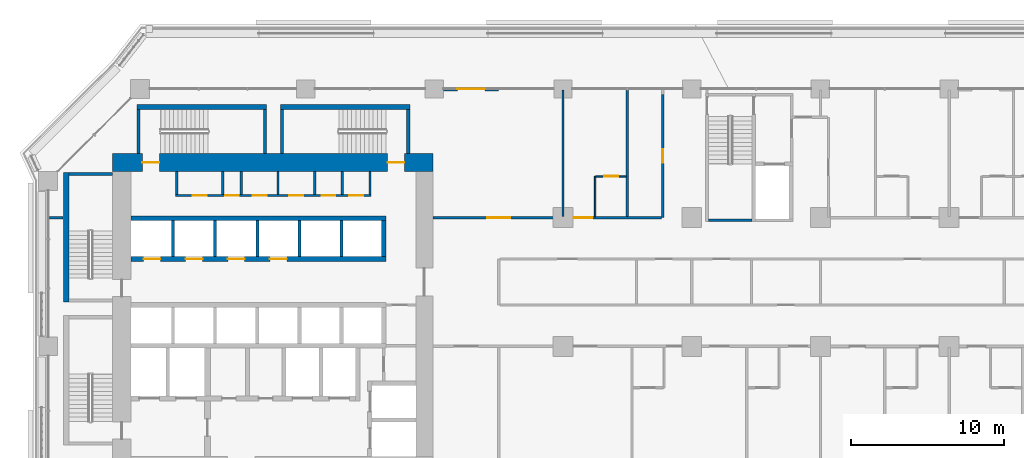
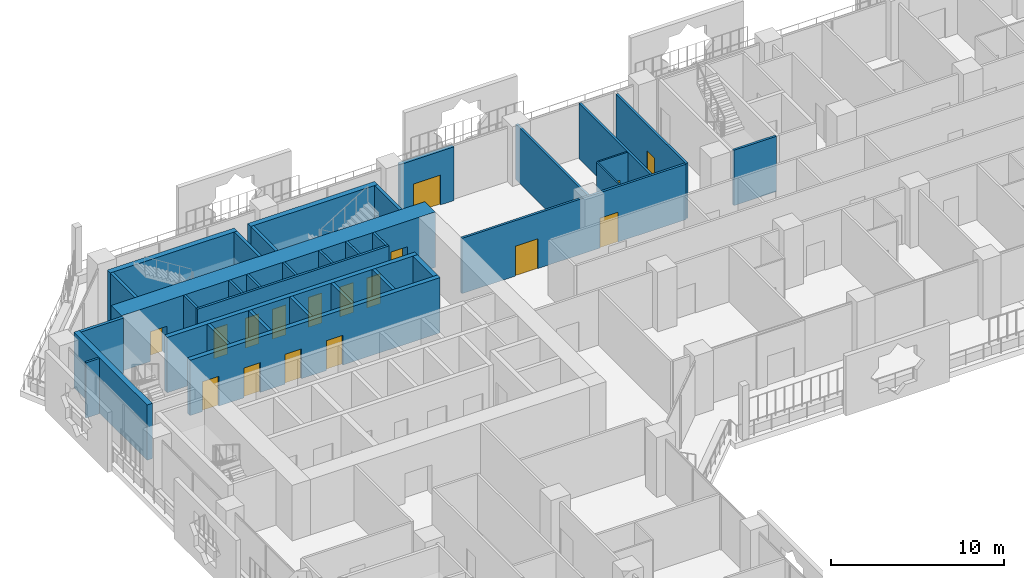
# One storey, part 17 of 28: 34 walls, 17 doors, 17 openings.
"""IFC4 building model written with IfcOpenShell, lengths in metres."""

from ifc_helpers import new_model, si_unit, direction, frame, frame_2d, origin, place, context, subcontext, project, spatial, rectangle, extrude, material, layer, layer_set, type_object, element, fill, save


model = new_model("IFC4")

# Units and contexts
model_context = context("Model", 3, precision=1e-05, world=origin(), true_north=direction((0.0, 1.0)))
body_context = subcontext(model_context, "Body", "Model", "MODEL_VIEW")
ifc_project = project(units=[si_unit("LENGTHUNIT", "METRE"), si_unit("AREAUNIT", "SQUARE_METRE"), si_unit("VOLUMEUNIT", "CUBIC_METRE"), si_unit("PLANEANGLEUNIT", "RADIAN"), si_unit("MASSUNIT", "GRAM", prefix="KILO")], contexts=[model_context])

# Site, building, storey
site_placement = place(None, origin())
site = spatial("IfcSite", under=ifc_project, at=site_placement, CompositionType="ELEMENT")
building_placement = place(site_placement, origin())
building = spatial("IfcBuilding", under=site, at=building_placement, Name="Kawkab Arch Medical Tower", CompositionType="ELEMENT")
storey_placement = place(building_placement, frame((0.0, 0.0, 68.60009765625)))
storey = spatial("IfcBuildingStorey", under=building, at=storey_placement, Name="L15", CompositionType="ELEMENT", Elevation=68.60009765625)

# Wall, openings, doors
ifc_material_1 = material(Name="Concrete C60/75", Category="concrete")
ifc_layer_1 = layer(ifc_material_1, 1.199951171875)
ifc_layer_set_1 = layer_set([ifc_layer_1], Name="Concrete C60/75")
wall_type_1 = type_object("IfcWallType", Name="Core ring wall 1200 C60/75", PredefinedType="SHEAR", material=ifc_layer_set_1)
wall_1_placement = place(storey_placement, frame((4.199951171875, -4.800048828125, 0.0), z_axis=(0.0, 0.0, 1.0), x_axis=(1.0, 0.0, 0.0)))
wall_1 = element("IfcWall", 1, at=wall_1_placement, inside=storey, type_object=wall_type_1, Name="L15 core wall", PredefinedType="SHEAR", context=body_context, shape_type="SweptSolid", body=[
    extrude(rectangle(XDim=20.900146484375, YDim=1.199951171875, at=frame_2d((10.4501953125, 0.0))), origin(), (0.0, 0.0, 1.0), 3.89990234375),
])
opening_1_placement = place(wall_1_placement, frame((1.949951171875, 0.0, 0.0)))
opening_1 = element("IfcOpeningElement", 2, at=opening_1_placement, cuts=wall_1, Name="Opening SD", PredefinedType="OPENING", context=body_context, shape_type="SweptSolid", body=[
    extrude(rectangle(XDim=1.10009765625, YDim=2.10009765625, at=frame_2d((0.550048828125, 1.050048828125))), frame((0.0, 0.60986328125, 0.0), z_axis=(0.0, -1.0, 0.0), x_axis=(1.0, 0.0, 0.0)), (0.0, 0.0, 1.0), 1.219970703125),
])
opening_2_placement = place(wall_1_placement, frame((17.949951171875, 0.0, 0.0)))
opening_2 = element("IfcOpeningElement", 3, at=opening_2_placement, cuts=wall_1, Name="Opening SD", PredefinedType="OPENING", context=body_context, shape_type="SweptSolid", body=[
    extrude(rectangle(XDim=1.10009765625, YDim=2.10009765625, at=frame_2d((0.550048828125, 1.050048828125))), frame((0.0, 0.60986328125, 0.0), z_axis=(0.0, -1.0, 0.0), x_axis=(1.0, 0.0, 0.0)), (0.0, 0.0, 1.0), 1.219970703125),
])
ifc_material_2 = material(Name="Hollow metal fire door leaf")
door_type_1 = type_object("IfcDoorType", Name="Exit stair door 1100", OperationType="SINGLE_SWING_LEFT", PredefinedType="DOOR", material=ifc_material_2)
door_1_placement = place(opening_1_placement, origin())
door_1 = element("IfcDoor", 4, at=door_1_placement, inside=storey, type_object=door_type_1, Name="L15 Exit stair ST3 door", OperationType="SINGLE_SWING_LEFT", OverallHeight=2.10009765625, OverallWidth=1.10009765625, PredefinedType="DOOR", context=body_context, shape_type="SweptSolid", body=[
    extrude(rectangle(XDim=1.10009765625, YDim=2.10009765625, at=frame_2d((0.550048828125, 1.050048828125))), frame((0.0, 0.02490234375, 0.0), z_axis=(0.0, -1.0, 0.0), x_axis=(1.0, 0.0, 0.0)), (0.0, 0.0, 1.0), 0.050048828125),
])
fill(opening_1, door_1)
door_2_placement = place(opening_2_placement, origin())
door_2 = element("IfcDoor", 5, at=door_2_placement, inside=storey, type_object=door_type_1, Name="L15 Exit stair ST4 door", OperationType="SINGLE_SWING_LEFT", OverallHeight=2.10009765625, OverallWidth=1.10009765625, PredefinedType="DOOR", context=body_context, shape_type="SweptSolid", body=[
    extrude(rectangle(XDim=1.10009765625, YDim=2.10009765625, at=frame_2d((0.550048828125, 1.050048828125))), frame((0.0, 0.02490234375, 0.0), z_axis=(0.0, -1.0, 0.0), x_axis=(1.0, 0.0, 0.0)), (0.0, 0.0, 1.0), 0.050048828125),
])
fill(opening_2, door_2)

ifc_material_3 = material(Name="Gypsum board on steel studs", Category="steel")
ifc_layer_2 = layer(ifc_material_3, 0.14990234375)
ifc_layer_set_2 = layer_set([ifc_layer_2], Name="Gypsum board on steel studs")
wall_type_2 = type_object("IfcWallType", Name="Core room partition 150", PredefinedType="PARTITIONING", material=ifc_layer_set_2)
wall_2_placement = place(storey_placement, frame((8.324951171875, -6.949951171875, 0.0), z_axis=(0.0, 0.0, 1.0), x_axis=(1.0, 0.0, 0.0)))
wall_2 = element("IfcWall", 6, at=wall_2_placement, inside=storey, type_object=wall_type_2, Name="L15 core room partition", PredefinedType="PARTITIONING", context=body_context, shape_type="SweptSolid", body=[
    extrude(rectangle(XDim=12.75, YDim=0.14990234375, at=frame_2d((6.375, 0.0))), origin(), (0.0, 0.0, 1.0), 3.89990234375),
])
opening_3_placement = place(wall_2_placement, frame((1.125, 0.0, 0.0)))
opening_3 = element("IfcOpeningElement", 7, at=opening_3_placement, cuts=wall_2, Name="Opening RD", PredefinedType="OPENING", context=body_context, shape_type="SweptSolid", body=[
    extrude(rectangle(XDim=0.89990234375, YDim=2.10009765625, at=frame_2d((0.449951171875, 1.050048828125))), frame((0.0, 0.0849609375, 0.0), z_axis=(0.0, -1.0, 0.0), x_axis=(1.0, 0.0, 0.0)), (0.0, 0.0, 1.0), 0.169921875),
])
opening_4_placement = place(wall_2_placement, frame((3.22509765625, 0.0, 0.0)))
opening_4 = element("IfcOpeningElement", 8, at=opening_4_placement, cuts=wall_2, Name="Opening RD", PredefinedType="OPENING", context=body_context, shape_type="SweptSolid", body=[
    extrude(rectangle(XDim=0.89990234375, YDim=2.10009765625, at=frame_2d((0.449951171875, 1.050048828125))), frame((0.0, 0.0849609375, 0.0), z_axis=(0.0, -1.0, 0.0), x_axis=(1.0, 0.0, 0.0)), (0.0, 0.0, 1.0), 0.169921875),
])
opening_5_placement = place(wall_2_placement, frame((5.02490234375, 0.0, 0.0)))
opening_5 = element("IfcOpeningElement", 9, at=opening_5_placement, cuts=wall_2, Name="Opening RD", PredefinedType="OPENING", context=body_context, shape_type="SweptSolid", body=[
    extrude(rectangle(XDim=0.89990234375, YDim=2.10009765625, at=frame_2d((0.449951171875, 1.050048828125))), frame((0.0, 0.0849609375, 0.0), z_axis=(0.0, -1.0, 0.0), x_axis=(1.0, 0.0, 0.0)), (0.0, 0.0, 1.0), 0.169921875),
])
opening_6_placement = place(wall_2_placement, frame((7.425048828125, 0.0, 0.0)))
opening_6 = element("IfcOpeningElement", 10, at=opening_6_placement, cuts=wall_2, Name="Opening RD", PredefinedType="OPENING", context=body_context, shape_type="SweptSolid", body=[
    extrude(rectangle(XDim=0.89990234375, YDim=2.10009765625, at=frame_2d((0.449951171875, 1.050048828125))), frame((0.0, 0.0849609375, 0.0), z_axis=(0.0, -1.0, 0.0), x_axis=(1.0, 0.0, 0.0)), (0.0, 0.0, 1.0), 0.169921875),
])
opening_7_placement = place(wall_2_placement, frame((9.52490234375, 0.0, 0.0)))
opening_7 = element("IfcOpeningElement", 11, at=opening_7_placement, cuts=wall_2, Name="Opening RD", PredefinedType="OPENING", context=body_context, shape_type="SweptSolid", body=[
    extrude(rectangle(XDim=0.89990234375, YDim=2.10009765625, at=frame_2d((0.449951171875, 1.050048828125))), frame((0.0, 0.0849609375, 0.0), z_axis=(0.0, -1.0, 0.0), x_axis=(1.0, 0.0, 0.0)), (0.0, 0.0, 1.0), 0.169921875),
])
opening_8_placement = place(wall_2_placement, frame((11.324951171875, 0.0, 0.0)))
opening_8 = element("IfcOpeningElement", 12, at=opening_8_placement, cuts=wall_2, Name="Opening RD", PredefinedType="OPENING", context=body_context, shape_type="SweptSolid", body=[
    extrude(rectangle(XDim=0.89990234375, YDim=2.10009765625, at=frame_2d((0.449951171875, 1.050048828125))), frame((0.0, 0.0849609375, 0.0), z_axis=(0.0, -1.0, 0.0), x_axis=(1.0, 0.0, 0.0)), (0.0, 0.0, 1.0), 0.169921875),
])
ifc_material_4 = material(Name="Hollow metal fire door leaf")
door_type_2 = type_object("IfcDoorType", Name="Core room door 900", OperationType="SINGLE_SWING_LEFT", PredefinedType="DOOR", material=ifc_material_4)
door_3_placement = place(opening_3_placement, origin())
door_3 = element("IfcDoor", 13, at=door_3_placement, inside=storey, type_object=door_type_2, Name="L15 General store door", OperationType="SINGLE_SWING_LEFT", OverallHeight=2.10009765625, OverallWidth=0.89990234375, PredefinedType="DOOR", context=body_context, shape_type="SweptSolid", body=[
    extrude(rectangle(XDim=0.89990234375, YDim=2.10009765625, at=frame_2d((0.449951171875, 1.050048828125))), frame((0.0, 0.02490234375, 0.0), z_axis=(0.0, -1.0, 0.0), x_axis=(1.0, 0.0, 0.0)), (0.0, 0.0, 1.0), 0.050048828125),
])
fill(opening_3, door_3)
door_4_placement = place(opening_4_placement, origin())
door_4 = element("IfcDoor", 14, at=door_4_placement, inside=storey, type_object=door_type_2, Name="L15 Electrical riser room door", OperationType="SINGLE_SWING_LEFT", OverallHeight=2.10009765625, OverallWidth=0.89990234375, PredefinedType="DOOR", context=body_context, shape_type="SweptSolid", body=[
    extrude(rectangle(XDim=0.89990234375, YDim=2.10009765625, at=frame_2d((0.449951171875, 1.050048828125))), frame((0.0, 0.02490234375, 0.0), z_axis=(0.0, -1.0, 0.0), x_axis=(1.0, 0.0, 0.0)), (0.0, 0.0, 1.0), 0.050048828125),
])
fill(opening_4, door_4)
door_5_placement = place(opening_5_placement, origin())
door_5 = element("IfcDoor", 15, at=door_5_placement, inside=storey, type_object=door_type_2, Name="L15 Housekeeping store door", OperationType="SINGLE_SWING_LEFT", OverallHeight=2.10009765625, OverallWidth=0.89990234375, PredefinedType="DOOR", context=body_context, shape_type="SweptSolid", body=[
    extrude(rectangle(XDim=0.89990234375, YDim=2.10009765625, at=frame_2d((0.449951171875, 1.050048828125))), frame((0.0, 0.02490234375, 0.0), z_axis=(0.0, -1.0, 0.0), x_axis=(1.0, 0.0, 0.0)), (0.0, 0.0, 1.0), 0.050048828125),
])
fill(opening_5, door_5)
door_6_placement = place(opening_6_placement, origin())
door_6 = element("IfcDoor", 16, at=door_6_placement, inside=storey, type_object=door_type_2, Name="L15 UPS room door", OperationType="SINGLE_SWING_LEFT", OverallHeight=2.10009765625, OverallWidth=0.89990234375, PredefinedType="DOOR", context=body_context, shape_type="SweptSolid", body=[
    extrude(rectangle(XDim=0.89990234375, YDim=2.10009765625, at=frame_2d((0.449951171875, 1.050048828125))), frame((0.0, 0.02490234375, 0.0), z_axis=(0.0, -1.0, 0.0), x_axis=(1.0, 0.0, 0.0)), (0.0, 0.0, 1.0), 0.050048828125),
])
fill(opening_6, door_6)
door_7_placement = place(opening_7_placement, origin())
door_7 = element("IfcDoor", 17, at=door_7_placement, inside=storey, type_object=door_type_2, Name="L15 Comms room door", OperationType="SINGLE_SWING_LEFT", OverallHeight=2.10009765625, OverallWidth=0.89990234375, PredefinedType="DOOR", context=body_context, shape_type="SweptSolid", body=[
    extrude(rectangle(XDim=0.89990234375, YDim=2.10009765625, at=frame_2d((0.449951171875, 1.050048828125))), frame((0.0, 0.02490234375, 0.0), z_axis=(0.0, -1.0, 0.0), x_axis=(1.0, 0.0, 0.0)), (0.0, 0.0, 1.0), 0.050048828125),
])
fill(opening_7, door_7)
door_8_placement = place(opening_8_placement, origin())
door_8 = element("IfcDoor", 18, at=door_8_placement, inside=storey, type_object=door_type_2, Name="L15 Electrical riser room door", OperationType="SINGLE_SWING_LEFT", OverallHeight=2.10009765625, OverallWidth=0.89990234375, PredefinedType="DOOR", context=body_context, shape_type="SweptSolid", body=[
    extrude(rectangle(XDim=0.89990234375, YDim=2.10009765625, at=frame_2d((0.449951171875, 1.050048828125))), frame((0.0, 0.02490234375, 0.0), z_axis=(0.0, -1.0, 0.0), x_axis=(1.0, 0.0, 0.0)), (0.0, 0.0, 1.0), 0.050048828125),
])
fill(opening_8, door_8)

# Walls
for number, where, z_axis, x_axis, name in (
    (19, (8.39990234375, -6.875, 0.0), (0.0, 0.0, 1.0), (0.0, 1.0, 0.0), "L15 core room partition"),
    (20, (11.39990234375, -6.875, 0.0), (0.0, 0.0, 1.0), (0.0, 1.0, 0.0), "L15 core room partition"),
    (21, (12.60009765625, -6.875, 0.0), (0.0, 0.0, 1.0), (0.0, 1.0, 0.0), "L15 core room partition"),
    (22, (15.0, -6.875, 0.0), (0.0, 0.0, 1.0), (0.0, 1.0, 0.0), "L15 core room partition"),
    (23, (17.39990234375, -6.875, 0.0), (0.0, 0.0, 1.0), (0.0, 1.0, 0.0), "L15 core room partition"),
    (24, (19.199951171875, -6.875, 0.0), (0.0, 0.0, 1.0), (0.0, 1.0, 0.0), "L15 core room partition"),
    (25, (21.0, -6.875, 0.0), (0.0, 0.0, 1.0), (0.0, 1.0, 0.0), "L15 core room partition"),
):
    element("IfcWall", number, at=place(storey_placement, frame(where, z_axis=z_axis, x_axis=x_axis)), inside=storey, type_object=wall_type_2, Name=name, PredefinedType="PARTITIONING", context=body_context, shape_type="SweptSolid", body=[
        extrude(rectangle(XDim=1.47509765625, YDim=0.14990234375, at=frame_2d((0.737548828125, 0.0))), origin(), (0.0, 0.0, 1.0), 3.89990234375),
    ])
ifc_material_5 = material(Name="Concrete C60/75", Category="concrete")
ifc_layer_3 = layer(ifc_material_5, 0.300048828125)
ifc_layer_set_3 = layer_set([ifc_layer_3], Name="Concrete C60/75")
wall_type_3 = type_object("IfcWallType", Name="Core shear wall 300 C60/75", PredefinedType="SHEAR", material=ifc_layer_set_3)
wall_3_placement = place(storey_placement, frame((5.39990234375, -8.449951171875, 0.0), z_axis=(0.0, 0.0, 1.0), x_axis=(1.0, 0.0, 0.0)))
element("IfcWall", 26, at=wall_3_placement, inside=storey, type_object=wall_type_3, Name="L15 core shear wall", PredefinedType="SHEAR", context=body_context, shape_type="SweptSolid", body=[
    extrude(rectangle(XDim=16.650146484375, YDim=0.300048828125, at=frame_2d((8.3251953125, 0.0))), origin(), (0.0, 0.0, 1.0), 3.89990234375),
])

# Wall, openings, doors
wall_4_placement = place(storey_placement, frame((5.39990234375, -11.10009765625, 0.0), z_axis=(0.0, 0.0, 1.0), x_axis=(1.0, 0.0, 0.0)))
wall_4 = element("IfcWall", 27, at=wall_4_placement, inside=storey, type_object=wall_type_3, Name="L15 core shear wall", PredefinedType="SHEAR", context=body_context, shape_type="SweptSolid", body=[
    extrude(rectangle(XDim=16.650146484375, YDim=0.300048828125, at=frame_2d((8.3251953125, 0.0))), origin(), (0.0, 0.0, 1.0), 3.89990234375),
])
opening_9_placement = place(wall_4_placement, frame((0.824951171875, 0.0, 0.0)))
opening_9 = element("IfcOpeningElement", 28, at=opening_9_placement, cuts=wall_4, Name="Opening LD1", PredefinedType="OPENING", context=body_context, shape_type="SweptSolid", body=[
    extrude(rectangle(XDim=1.10009765625, YDim=2.10009765625, at=frame_2d((0.550048828125, 1.050048828125))), frame((0.0, 0.159912109375, 0.0), z_axis=(0.0, -1.0, 0.0), x_axis=(1.0, 0.0, 0.0)), (0.0, 0.0, 1.0), 0.320068359375),
])
opening_10_placement = place(wall_4_placement, frame((3.574951171875, 0.0, 0.0)))
opening_10 = element("IfcOpeningElement", 29, at=opening_10_placement, cuts=wall_4, Name="Opening LD1", PredefinedType="OPENING", context=body_context, shape_type="SweptSolid", body=[
    extrude(rectangle(XDim=1.10009765625, YDim=2.10009765625, at=frame_2d((0.550048828125, 1.050048828125))), frame((0.0, 0.159912109375, 0.0), z_axis=(0.0, -1.0, 0.0), x_axis=(1.0, 0.0, 0.0)), (0.0, 0.0, 1.0), 0.320068359375),
])
opening_11_placement = place(wall_4_placement, frame((6.324951171875, 0.0, 0.0)))
opening_11 = element("IfcOpeningElement", 30, at=opening_11_placement, cuts=wall_4, Name="Opening LD1", PredefinedType="OPENING", context=body_context, shape_type="SweptSolid", body=[
    extrude(rectangle(XDim=1.10009765625, YDim=2.10009765625, at=frame_2d((0.550048828125, 1.050048828125))), frame((0.0, 0.159912109375, 0.0), z_axis=(0.0, -1.0, 0.0), x_axis=(1.0, 0.0, 0.0)), (0.0, 0.0, 1.0), 0.320068359375),
])
opening_12_placement = place(wall_4_placement, frame((9.074951171875, 0.0, 0.0)))
opening_12 = element("IfcOpeningElement", 31, at=opening_12_placement, cuts=wall_4, Name="Opening LD1", PredefinedType="OPENING", context=body_context, shape_type="SweptSolid", body=[
    extrude(rectangle(XDim=1.10009765625, YDim=2.10009765625, at=frame_2d((0.550048828125, 1.050048828125))), frame((0.0, 0.159912109375, 0.0), z_axis=(0.0, -1.0, 0.0), x_axis=(1.0, 0.0, 0.0)), (0.0, 0.0, 1.0), 0.320068359375),
])
ifc_material_6 = material(Name="Stainless steel lift door leaf", Category="steel")
door_type_3 = type_object("IfcDoorType", Name="Lift landing door 1100", OperationType="DOUBLE_DOOR_SLIDING", PredefinedType="DOOR", material=ifc_material_6)
door_9_placement = place(opening_9_placement, origin())
door_9 = element("IfcDoor", 32, at=door_9_placement, inside=storey, type_object=door_type_3, Name="L15 Lift landing door LP1", OperationType="DOUBLE_DOOR_SLIDING", OverallHeight=2.10009765625, OverallWidth=1.10009765625, PredefinedType="DOOR", context=body_context, shape_type="SweptSolid", body=[
    extrude(rectangle(XDim=1.10009765625, YDim=2.10009765625, at=frame_2d((0.550048828125, 1.050048828125))), frame((0.0, 0.02490234375, 0.0), z_axis=(0.0, -1.0, 0.0), x_axis=(1.0, 0.0, 0.0)), (0.0, 0.0, 1.0), 0.050048828125),
])
fill(opening_9, door_9)
door_10_placement = place(opening_10_placement, origin())
door_10 = element("IfcDoor", 33, at=door_10_placement, inside=storey, type_object=door_type_3, Name="L15 Lift landing door LP2", OperationType="DOUBLE_DOOR_SLIDING", OverallHeight=2.10009765625, OverallWidth=1.10009765625, PredefinedType="DOOR", context=body_context, shape_type="SweptSolid", body=[
    extrude(rectangle(XDim=1.10009765625, YDim=2.10009765625, at=frame_2d((0.550048828125, 1.050048828125))), frame((0.0, 0.02490234375, 0.0), z_axis=(0.0, -1.0, 0.0), x_axis=(1.0, 0.0, 0.0)), (0.0, 0.0, 1.0), 0.050048828125),
])
fill(opening_10, door_10)
door_11_placement = place(opening_11_placement, origin())
door_11 = element("IfcDoor", 34, at=door_11_placement, inside=storey, type_object=door_type_3, Name="L15 Lift landing door LP3", OperationType="DOUBLE_DOOR_SLIDING", OverallHeight=2.10009765625, OverallWidth=1.10009765625, PredefinedType="DOOR", context=body_context, shape_type="SweptSolid", body=[
    extrude(rectangle(XDim=1.10009765625, YDim=2.10009765625, at=frame_2d((0.550048828125, 1.050048828125))), frame((0.0, 0.02490234375, 0.0), z_axis=(0.0, -1.0, 0.0), x_axis=(1.0, 0.0, 0.0)), (0.0, 0.0, 1.0), 0.050048828125),
])
fill(opening_11, door_11)
door_12_placement = place(opening_12_placement, origin())
door_12 = element("IfcDoor", 35, at=door_12_placement, inside=storey, type_object=door_type_3, Name="L15 Lift landing door LP4", OperationType="DOUBLE_DOOR_SLIDING", OverallHeight=2.10009765625, OverallWidth=1.10009765625, PredefinedType="DOOR", context=body_context, shape_type="SweptSolid", body=[
    extrude(rectangle(XDim=1.10009765625, YDim=2.10009765625, at=frame_2d((0.550048828125, 1.050048828125))), frame((0.0, 0.02490234375, 0.0), z_axis=(0.0, -1.0, 0.0), x_axis=(1.0, 0.0, 0.0)), (0.0, 0.0, 1.0), 0.050048828125),
])
fill(opening_12, door_12)

# Wall
wall_5_placement = place(storey_placement, frame((21.89990234375, -10.949951171875, 0.0), z_axis=(0.0, 0.0, 1.0), x_axis=(0.0, 1.0, 0.0)))
element("IfcWall", 36, at=wall_5_placement, inside=storey, type_object=wall_type_3, Name="L15 core shear wall", PredefinedType="SHEAR", context=body_context, shape_type="SweptSolid", body=[
    extrude(rectangle(XDim=2.349853515625, YDim=0.300048828125, at=frame_2d((1.1748046875, 0.0))), origin(), (0.0, 0.0, 1.0), 3.89990234375),
])

# Wall, opening, door
ifc_material_7 = material(Name="Bronze clad insulated wall panel")
ifc_layer_4 = layer(ifc_material_7, 0.25)
ifc_layer_set_4 = layer_set([ifc_layer_4], Name="Bronze clad insulated wall panel")
wall_type_4 = type_object("IfcWallType", Name="External wall bay 250", PredefinedType="SOLIDWALL", material=ifc_layer_set_4)
wall_6_placement = place(storey_placement, frame((29.39990234375, 0.0, 0.0), z_axis=(0.0, 0.0, 1.0), x_axis=(-1.0, 0.0, 0.0)))
wall_6 = element("IfcWall", 37, at=wall_6_placement, inside=storey, type_object=wall_type_4, Name="External wall bay L15.R11.6.2", PredefinedType="SOLIDWALL", context=body_context, shape_type="SweptSolid", body=[
    extrude(rectangle(XDim=3.599853515625, YDim=0.25, at=frame_2d((1.7998046875, 0.0))), origin(), (0.0, 0.0, 1.0), 3.77978515625),
])
opening_13_placement = place(wall_6_placement, frame((0.89990234375, 0.0, 0.0)))
opening_13 = element("IfcOpeningElement", 38, at=opening_13_placement, cuts=wall_6, Name="Opening W15A-702", PredefinedType="OPENING", context=body_context, shape_type="SweptSolid", body=[
    extrude(rectangle(XDim=1.800048828125, YDim=2.10009765625, at=frame_2d((0.89990234375, 1.050048828125))), frame((0.0, 0.135009765625, 0.0), z_axis=(0.0, -1.0, 0.0), x_axis=(1.0, 0.0, 0.0)), (0.0, 0.0, 1.0), 0.27001953125),
])
ifc_material_8 = material(Name="Bronze anodised aluminium door with tinted glass", Category="aluminium")
door_type_4 = type_object("IfcDoorType", Name="Double external door 1800 x 2100", OperationType="DOUBLE_DOOR_SINGLE_SWING", PredefinedType="DOOR", material=ifc_material_8)
door_13_placement = place(opening_13_placement, origin())
door_13 = element("IfcDoor", 39, at=door_13_placement, inside=storey, type_object=door_type_4, Name="External door L15.R11.6.2", OperationType="DOUBLE_DOOR_SINGLE_SWING", OverallHeight=2.10009765625, OverallWidth=1.800048828125, PredefinedType="DOOR", context=body_context, shape_type="SweptSolid", body=[
    extrude(rectangle(XDim=1.800048828125, YDim=2.10009765625, at=frame_2d((0.89990234375, 1.050048828125))), frame((0.0, 0.02490234375, 0.0), z_axis=(0.0, -1.0, 0.0), x_axis=(1.0, 0.0, 0.0)), (0.0, 0.0, 1.0), 0.050048828125),
])
fill(opening_13, door_13)

# Walls
ifc_material_9 = material(Name="Dense concrete blockwork", Category="masonry")
ifc_layer_5 = layer(ifc_material_9, 0.199951171875)
ifc_layer_set_5 = layer_set([ifc_layer_5], Name="Dense concrete blockwork")
wall_type_5 = type_object("IfcWallType", Name="Lift shaft partition 200", PredefinedType="PARTITIONING", material=ifc_layer_set_5)
for number, where, z_axis, x_axis, name in (
    (40, (8.14990234375, -10.949951171875, 0.0), (0.0, 0.0, 1.0), (0.0, 1.0, 0.0), "L15 lift shaft partition"),
    (41, (10.89990234375, -10.949951171875, 0.0), (0.0, 0.0, 1.0), (0.0, 1.0, 0.0), "L15 lift shaft partition"),
    (42, (13.64990234375, -10.949951171875, 0.0), (0.0, 0.0, 1.0), (0.0, 1.0, 0.0), "L15 lift shaft partition"),
    (43, (16.39990234375, -10.949951171875, 0.0), (0.0, 0.0, 1.0), (0.0, 1.0, 0.0), "L15 lift shaft partition"),
    (44, (19.14990234375, -10.949951171875, 0.0), (0.0, 0.0, 1.0), (0.0, 1.0, 0.0), "L15 lift shaft partition"),
):
    element("IfcWall", number, at=place(storey_placement, frame(where, z_axis=z_axis, x_axis=x_axis)), inside=storey, type_object=wall_type_5, Name=name, PredefinedType="PARTITIONING", context=body_context, shape_type="SweptSolid", body=[
        extrude(rectangle(XDim=2.349853515625, YDim=0.199951171875, at=frame_2d((1.1748046875, 0.0))), origin(), (0.0, 0.0, 1.0), 3.89990234375),
    ])

# Wall, opening, door
ifc_material_10 = material(Name="Gypsum board partition on steel studs", Category="steel")
ifc_layer_6 = layer(ifc_material_10, 0.10009765625)
ifc_layer_set_6 = layer_set([ifc_layer_6], Name="Gypsum board partition on steel studs")
wall_type_6 = type_object("IfcWallType", Name="Partition 100", PredefinedType="PARTITIONING", material=ifc_layer_set_6)
wall_7_placement = place(storey_placement, frame((35.75, -5.699951171875, 0.0), z_axis=(0.0, 0.0, 1.0), x_axis=(1.0, 0.0, 0.0)))
wall_7 = element("IfcWall", 45, at=wall_7_placement, inside=storey, type_object=wall_type_6, Name="Partition 100 w014", PredefinedType="PARTITIONING", context=body_context, shape_type="SweptSolid", body=[
    extrude(rectangle(XDim=1.97509765625, YDim=0.10009765625, at=frame_2d((0.987548828125, 0.0))), origin(), (0.0, 0.0, 1.0), 3.89990234375),
])
opening_14_placement = place(wall_7_placement, frame((0.550048828125, 0.0, 0.0)))
opening_14 = element("IfcOpeningElement", 46, at=opening_14_placement, cuts=wall_7, Name="Opening W15A-009", PredefinedType="OPENING", context=body_context, shape_type="SweptSolid", body=[
    extrude(rectangle(XDim=0.89990234375, YDim=2.10009765625, at=frame_2d((0.449951171875, 1.050048828125))), frame((0.0, 0.06005859375, 0.0), z_axis=(0.0, -1.0, 0.0), x_axis=(1.0, 0.0, 0.0)), (0.0, 0.0, 1.0), 0.1201171875),
])
ifc_material_11 = material(Name="Timber door leaf", Category="wood")
door_type_5 = type_object("IfcDoorType", Name="Single door 900x2100", OperationType="NOTDEFINED", PredefinedType="DOOR", material=ifc_material_11)
door_14_placement = place(opening_14_placement, origin())
door_14 = element("IfcDoor", 47, at=door_14_placement, inside=storey, type_object=door_type_5, Name="Door W15A-009", OperationType="SINGLE_SWING_RIGHT", OverallHeight=2.10009765625, OverallWidth=0.89990234375, PredefinedType="DOOR", context=body_context, shape_type="SweptSolid", body=[
    extrude(rectangle(XDim=0.89990234375, YDim=2.10009765625, at=frame_2d((0.449951171875, 1.050048828125))), frame((0.0, 0.02490234375, 0.0), z_axis=(0.0, -1.0, 0.0), x_axis=(1.0, 0.0, 0.0)), (0.0, 0.0, 1.0), 0.050048828125),
])
fill(opening_14, door_14)

# Walls
wall_8_placement = place(storey_placement, frame((35.699951171875, -8.324951171875, 0.0), z_axis=(0.0, 0.0, 1.0), x_axis=(0.0, 1.0, 0.0)))
element("IfcWall", 48, at=wall_8_placement, inside=storey, type_object=wall_type_6, Name="Partition 100 w026", PredefinedType="PARTITIONING", context=body_context, shape_type="SweptSolid", body=[
    extrude(rectangle(XDim=2.625, YDim=0.10009765625, at=frame_2d((1.3125, 0.0))), origin(), (0.0, 0.0, 1.0), 3.89990234375),
])
ifc_material_12 = material(Name="Gypsum board partition on steel studs, mineral wool", Category="steel")
ifc_layer_7 = layer(ifc_material_12, 0.14990234375)
ifc_layer_set_7 = layer_set([ifc_layer_7], Name="Gypsum board partition on steel studs, mineral wool")
wall_type_7 = type_object("IfcWallType", Name="Partition 150", PredefinedType="PARTITIONING", material=ifc_layer_set_7)
wall_9_placement = place(storey_placement, frame((0.080078125, -8.39990234375, 0.0), z_axis=(0.0, 0.0, 1.0), x_axis=(1.0, 0.0, 0.0)))
element("IfcWall", 49, at=wall_9_placement, inside=storey, type_object=wall_type_7, Name="Partition 150 w060", PredefinedType="PARTITIONING", context=body_context, shape_type="SweptSolid", body=[
    extrude(rectangle(XDim=0.889892578125, YDim=0.14990234375, at=frame_2d((0.44482421875, 0.0))), origin(), (0.0, 0.0, 1.0), 3.89990234375),
])

# Wall, openings, doors
wall_10_placement = place(storey_placement, frame((25.10009765625, -8.39990234375, 0.0), z_axis=(0.0, 0.0, 1.0), x_axis=(1.0, 0.0, 0.0)))
wall_10 = element("IfcWall", 50, at=wall_10_placement, inside=storey, type_object=wall_type_7, Name="Partition 150 w061", PredefinedType="PARTITIONING", context=body_context, shape_type="SweptSolid", body=[
    extrude(rectangle(XDim=14.931884765625, YDim=0.14990234375, at=frame_2d((7.4658203125, 0.0))), origin(), (0.0, 0.0, 1.0), 3.89990234375),
])
opening_15_placement = place(wall_10_placement, frame((3.550048828125, 0.0, 0.0)))
opening_15 = element("IfcOpeningElement", 51, at=opening_15_placement, cuts=wall_10, Name="Opening W15A-002", PredefinedType="OPENING", context=body_context, shape_type="SweptSolid", body=[
    extrude(rectangle(XDim=1.5, YDim=2.10009765625, at=frame_2d((0.75, 1.050048828125))), frame((0.0, 0.0849609375, 0.0), z_axis=(0.0, -1.0, 0.0), x_axis=(1.0, 0.0, 0.0)), (0.0, 0.0, 1.0), 0.169921875),
])
opening_16_placement = place(wall_10_placement, frame((9.199951171875, 0.0, 0.0)))
opening_16 = element("IfcOpeningElement", 52, at=opening_16_placement, cuts=wall_10, Name="Opening W15A-045", PredefinedType="OPENING", context=body_context, shape_type="SweptSolid", body=[
    extrude(rectangle(XDim=1.199951171875, YDim=2.10009765625, at=frame_2d((0.60009765625, 1.050048828125))), frame((0.0, 0.0849609375, 0.0), z_axis=(0.0, -1.0, 0.0), x_axis=(1.0, 0.0, 0.0)), (0.0, 0.0, 1.0), 0.169921875),
])
ifc_material_13 = material(Name="Hollow metal door leaf")
door_type_6 = type_object("IfcDoorType", Name="Double door 1500x2100 FD30S", OperationType="NOTDEFINED", PredefinedType="DOOR", material=ifc_material_13)
door_15_placement = place(opening_15_placement, origin())
door_15 = element("IfcDoor", 53, at=door_15_placement, inside=storey, type_object=door_type_6, Name="Door W15A-002", OperationType="DOUBLE_DOOR_SINGLE_SWING", OverallHeight=2.10009765625, OverallWidth=1.5, PredefinedType="DOOR", context=body_context, shape_type="SweptSolid", body=[
    extrude(rectangle(XDim=1.5, YDim=2.10009765625, at=frame_2d((0.75, 1.050048828125))), frame((0.0, 0.02490234375, 0.0), z_axis=(0.0, -1.0, 0.0), x_axis=(1.0, 0.0, 0.0)), (0.0, 0.0, 1.0), 0.050048828125),
])
fill(opening_15, door_15)
ifc_material_14 = material(Name="Hollow metal door leaf")
door_type_7 = type_object("IfcDoorType", Name="Single door 1200x2100 FD30S", OperationType="NOTDEFINED", PredefinedType="DOOR", material=ifc_material_14)
door_16_placement = place(opening_16_placement, origin())
door_16 = element("IfcDoor", 54, at=door_16_placement, inside=storey, type_object=door_type_7, Name="Door W15A-045", OperationType="SINGLE_SWING_RIGHT", OverallHeight=2.10009765625, OverallWidth=1.199951171875, PredefinedType="DOOR", context=body_context, shape_type="SweptSolid", body=[
    extrude(rectangle(XDim=1.199951171875, YDim=2.10009765625, at=frame_2d((0.60009765625, 1.050048828125))), frame((0.0, 0.02490234375, 0.0), z_axis=(0.0, -1.0, 0.0), x_axis=(1.0, 0.0, 0.0)), (0.0, 0.0, 1.0), 0.050048828125),
])
fill(opening_16, door_16)

# Walls
for number, where, z_axis, x_axis, name in (
    (55, (33.60009765625, -8.324951171875, 0.0), (0.0, 0.0, 1.0), (0.0, 1.0, 0.0), "Partition 150 w076"),
    (56, (37.800048828125, -8.324951171875, 0.0), (0.0, 0.0, 1.0), (0.0, 1.0, 0.0), "Partition 150 w077"),
):
    element("IfcWall", number, at=place(storey_placement, frame(where, z_axis=z_axis, x_axis=x_axis)), inside=storey, type_object=wall_type_7, Name=name, PredefinedType="PARTITIONING", context=body_context, shape_type="SweptSolid", body=[
        extrude(rectangle(XDim=8.244873046875, YDim=0.14990234375, at=frame_2d((4.12255859375, 0.0))), origin(), (0.0, 0.0, 1.0), 3.89990234375),
    ])

# Wall, opening, door
wall_11_placement = place(storey_placement, frame((40.10693359375, -8.39990234375, 0.0), z_axis=(0.0, 0.0, 1.0), x_axis=(0.0, 1.0, 0.0)))
wall_11 = element("IfcWall", 57, at=wall_11_placement, inside=storey, type_object=wall_type_7, Name="Partition 150 w080", PredefinedType="PARTITIONING", context=body_context, shape_type="SweptSolid", body=[
    extrude(rectangle(XDim=8.0478515625, YDim=0.14990234375, at=frame_2d((4.02392578125, 0.0))), origin(), (0.0, 0.0, 1.0), 3.89990234375),
])
opening_17_placement = place(wall_11_placement, frame((3.573974609375, 0.0, 0.0)))
opening_17 = element("IfcOpeningElement", 58, at=opening_17_placement, cuts=wall_11, Name="Opening W15A-026", PredefinedType="OPENING", context=body_context, shape_type="SweptSolid", body=[
    extrude(rectangle(XDim=0.89990234375, YDim=2.10009765625, at=frame_2d((0.449951171875, 1.050048828125))), frame((0.0, 0.0849609375, 0.0), z_axis=(0.0, -1.0, 0.0), x_axis=(1.0, 0.0, 0.0)), (0.0, 0.0, 1.0), 0.169921875),
])
door_17_placement = place(opening_17_placement, origin())
door_17 = element("IfcDoor", 59, at=door_17_placement, inside=storey, type_object=door_type_5, Name="Door W15A-026", OperationType="SINGLE_SWING_LEFT", OverallHeight=2.10009765625, OverallWidth=0.89990234375, PredefinedType="DOOR", context=body_context, shape_type="SweptSolid", body=[
    extrude(rectangle(XDim=0.89990234375, YDim=2.10009765625, at=frame_2d((0.449951171875, 1.050048828125))), frame((0.0, 0.02490234375, 0.0), z_axis=(0.0, -1.0, 0.0), x_axis=(1.0, 0.0, 0.0)), (0.0, 0.0, 1.0), 0.050048828125),
])
fill(opening_17, door_17)

# Walls
ifc_material_15 = material(Name="Concrete C50/60", Category="concrete")
ifc_layer_8 = layer(ifc_material_15, 0.14990234375)
ifc_layer_set_8 = layer_set([ifc_layer_8], Name="Concrete C50/60")
wall_type_8 = type_object("IfcWallType", Name="Stair enclosure wall 150 C50/60", PredefinedType="SHEAR", material=ifc_layer_set_8)
wall_12_placement = place(storey_placement, frame((43.10009765625, -8.574951171875, 0.0), z_axis=(0.0, 0.0, 1.0), x_axis=(1.0, 0.0, 0.0)))
element("IfcWall", 60, at=wall_12_placement, inside=storey, type_object=wall_type_8, Name="L15 stair enclosure wall", PredefinedType="SHEAR", context=body_context, shape_type="SweptSolid", body=[
    extrude(rectangle(XDim=2.849853515625, YDim=0.14990234375, at=frame_2d((1.4248046875, 0.0))), origin(), (0.0, 0.0, 1.0), 3.89990234375),
])
ifc_material_16 = material(Name="Concrete C50/60", Category="concrete")
ifc_layer_9 = layer(ifc_material_16, 0.199951171875)
ifc_layer_set_9 = layer_set([ifc_layer_9], Name="Concrete C50/60")
wall_type_9 = type_object("IfcWallType", Name="Stair enclosure wall 200 C50/60", PredefinedType="SHEAR", material=ifc_layer_set_9)
for number, where, z_axis, x_axis, name in (
    (61, (1.35009765625, -5.550048828125, 0.0), (0.0, 0.0, 1.0), (1.0, 0.0, 0.0), "L15 stair enclosure wall"),
    (62, (5.89990234375, -4.199951171875, 0.0), (0.0, 0.0, 1.0), (0.0, 1.0, 0.0), "L15 stair enclosure wall"),
    (63, (14.14990234375, -4.199951171875, 0.0), (0.0, 0.0, 1.0), (0.0, 1.0, 0.0), "L15 stair enclosure wall"),
    (64, (15.25, -4.199951171875, 0.0), (0.0, 0.0, 1.0), (0.0, 1.0, 0.0), "L15 stair enclosure wall"),
    (65, (23.5, -4.199951171875, 0.0), (0.0, 0.0, 1.0), (0.0, 1.0, 0.0), "L15 stair enclosure wall"),
):
    element("IfcWall", number, at=place(storey_placement, frame(where, z_axis=z_axis, x_axis=x_axis)), inside=storey, type_object=wall_type_9, Name=name, PredefinedType="SHEAR", context=body_context, shape_type="SweptSolid", body=[
        extrude(rectangle(XDim=2.849853515625, YDim=0.199951171875, at=frame_2d((1.4248046875, 0.0))), origin(), (0.0, 0.0, 1.0), 3.89990234375),
    ])
ifc_material_17 = material(Name="Concrete C50/60", Category="concrete")
ifc_layer_10 = layer(ifc_material_17, 0.35009765625)
ifc_layer_set_10 = layer_set([ifc_layer_10], Name="Concrete C50/60")
wall_type_10 = type_object("IfcWallType", Name="Stair enclosure wall 350 C50/60", PredefinedType="SHEAR", material=ifc_layer_set_10)
for number, where, z_axis, x_axis, name in (
    (66, (1.175048828125, -13.89990234375, 0.0), (0.0, 0.0, 1.0), (0.0, 1.0, 0.0), "L15 stair enclosure wall"),
    (67, (5.800048828125, -1.175048828125, 0.0), (0.0, 0.0, 1.0), (1.0, 0.0, 0.0), "L15 stair enclosure wall"),
):
    element("IfcWall", number, at=place(storey_placement, frame(where, z_axis=z_axis, x_axis=x_axis)), inside=storey, type_object=wall_type_10, Name=name, PredefinedType="SHEAR", context=body_context, shape_type="SweptSolid", body=[
        extrude(rectangle(XDim=8.449951171875, YDim=0.35009765625, at=frame_2d((4.22509765625, 0.0))), origin(), (0.0, 0.0, 1.0), 3.89990234375),
    ])
wall_13_placement = place(storey_placement, frame((15.14990234375, -1.175048828125, 0.0), z_axis=(0.0, 0.0, 1.0), x_axis=(1.0, 0.0, 0.0)))
element("IfcWall", 68, at=wall_13_placement, inside=storey, type_object=wall_type_10, Name="L15 stair enclosure wall", PredefinedType="SHEAR", context=body_context, shape_type="SweptSolid", body=[
    extrude(rectangle(XDim=8.4501953125, YDim=0.35009765625, at=frame_2d((4.22509765625, 0.0))), origin(), (0.0, 0.0, 1.0), 3.89990234375),
])

save(model, "model.ifc")
